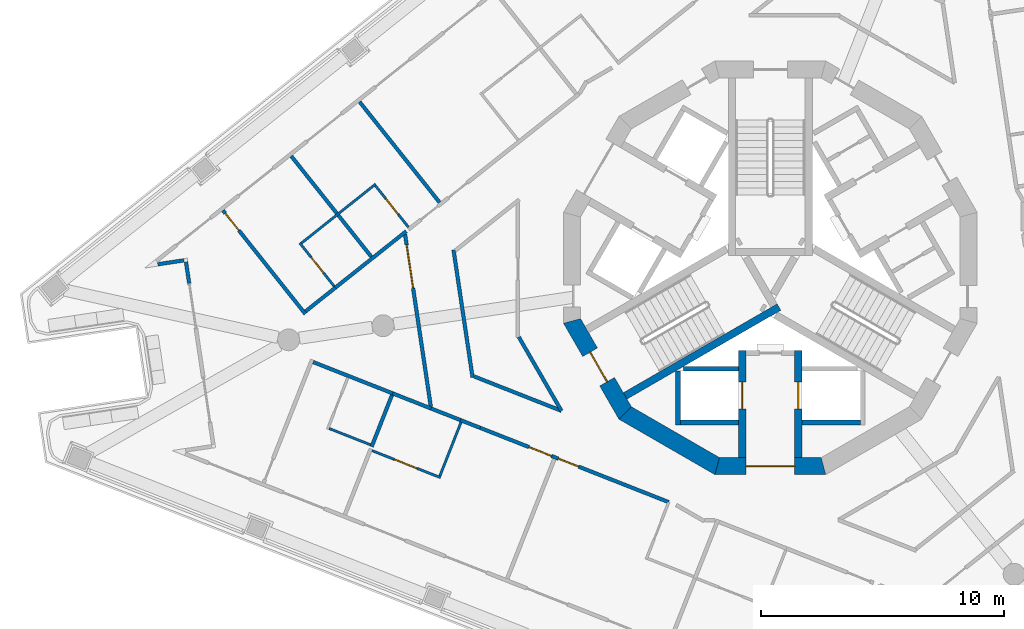
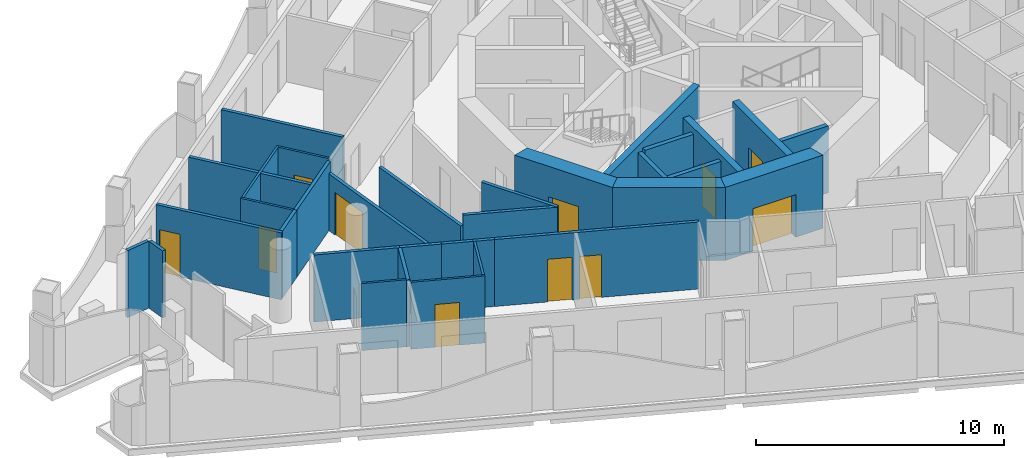
# One storey, part 3 of 16: 33 walls, 11 doors, 11 openings.
"""IFC4 building model written with IfcOpenShell, lengths in metres."""

from ifc_helpers import new_model, si_unit, direction, frame, frame_2d, origin, place, context, subcontext, project, spatial, polyline, rectangle, outline, extrude, material, layer, layer_set, type_object, element, fill, save


model = new_model("IFC4")

# Units and contexts
model_context = context("Model", 3, precision=1e-05, world=origin(), true_north=direction((0.0, 1.0)))
body_context = subcontext(model_context, "Body", "Model", "MODEL_VIEW")
ifc_project = project(units=[si_unit("LENGTHUNIT", "METRE"), si_unit("AREAUNIT", "SQUARE_METRE"), si_unit("VOLUMEUNIT", "CUBIC_METRE"), si_unit("PLANEANGLEUNIT", "RADIAN"), si_unit("MASSUNIT", "GRAM", prefix="KILO")], contexts=[model_context])

# Site, building, storey
site_placement = place(None, origin())
site = spatial("IfcSite", under=ifc_project, at=site_placement, CompositionType="ELEMENT")
building_placement = place(site_placement, origin())
building = spatial("IfcBuilding", under=site, at=building_placement, Name="Trine Commons Tower", CompositionType="ELEMENT")
storey_placement = place(building_placement, frame((0.0, 0.0, 219.60009765625)))
storey = spatial("IfcBuildingStorey", under=building, at=storey_placement, Name="L57", CompositionType="ELEMENT", Elevation=219.60009765625)

# Walls
ifc_material_1 = material(Name="Aluminium-framed insulated wall panel", Category="aluminium")
ifc_layer_1 = layer(ifc_material_1, 0.14990234375)
ifc_layer_set_1 = layer_set([ifc_layer_1], Name="Aluminium-framed insulated wall panel")
wall_type_1 = type_object("IfcWallType", Name="Glazed frame wall 150, EI 60", PredefinedType="SOLIDWALL", material=ifc_layer_set_1)
wall_1_placement = place(storey_placement, frame((56.115966796875, 61.86279296875, 0.0), z_axis=(0.0, 0.0, 1.0), x_axis=(-0.147946480694, 0.988995368468, 0.0)))
element("IfcWall", 1, at=wall_1_placement, inside=storey, type_object=wall_type_1, Name="Glazed frame wall P3.5", PredefinedType="SOLIDWALL", context=body_context, shape_type="SweptSolid", body=[
    extrude(outline(polyline([(0.889892578125, 0.074951171875), (0.0, 0.074951171875), (0.0, -0.074951171875), (0.889892578125, -0.074951171875), (0.889892578125, 0.074951171875)])), origin(), (0.0, 0.0, 1.0), 3.2998046875),
])
wall_2_placement = place(storey_placement, frame((56.0078125, 62.822265625, 0.0), z_axis=(0.0, 0.0, 1.0), x_axis=(-0.98902141065, -0.147772288596, 0.0)))
element("IfcWall", 2, at=wall_2_placement, inside=storey, type_object=wall_type_1, Name="Glazed frame wall R12", PredefinedType="SOLIDWALL", context=body_context, shape_type="SweptSolid", body=[
    extrude(outline(polyline([(0.110107421875, 0.074951171875), (0.110107421875, -0.074951171875), (1.19580078125, -0.074951171875), (1.19580078125, 0.074951171875), (0.110107421875, 0.074951171875)])), origin(), (0.0, 0.0, 1.0), 3.2998046875),
])

# Wall, opening, door
ifc_material_2 = material(Name="Concrete C60/75", Category="concrete")
ifc_layer_2 = layer(ifc_material_2, 0.300048828125)
ifc_layer_set_2 = layer_set([ifc_layer_2], Name="Concrete C60/75")
wall_type_2 = type_object("IfcWallType", Name="RC shear wall 300 mm, C60/75", PredefinedType="SHEAR", material=ifc_layer_set_2)
wall_3_placement = place(storey_placement, frame((78.85009765625, 59.10009765625, 0.0), z_axis=(0.0, 0.0, 1.0), x_axis=(0.0, -1.0, 0.0)))
wall_3 = element("IfcWall", 3, at=wall_3_placement, inside=storey, type_object=wall_type_2, Name="Core cross wall SWC-03 L57", PredefinedType="SHEAR", context=body_context, shape_type="SweptSolid", body=[
    extrude(rectangle(XDim=4.400146484375, YDim=0.300048828125, at=frame_2d((2.2001953125, 0.0))), origin(), (0.0, 0.0, 1.0), 3.599853515625),
])
opening_1_placement = place(wall_3_placement, frame((1.300048828125, 0.0, 0.0)))
opening_1 = element("IfcOpeningElement", 4, at=opening_1_placement, cuts=wall_3, Name="Opening LD10", PredefinedType="OPENING", context=body_context, shape_type="SweptSolid", body=[
    extrude(rectangle(XDim=1.10009765625, YDim=2.10009765625, at=frame_2d((0.550048828125, 1.050048828125))), frame((0.0, 0.159912109375, 0.0), z_axis=(0.0, -1.0, 0.0), x_axis=(1.0, 0.0, 0.0)), (0.0, 0.0, 1.0), 0.320068359375),
])
ifc_material_3 = material(Name="Stainless steel sliding door leaves", Category="steel")
door_type_1 = type_object("IfcDoorType", Name="Lift landing door, centre-opening sliding 1100 x 2100, FD90", OperationType="DOUBLE_DOOR_SLIDING", PredefinedType="DOOR", material=ifc_material_3)
door_1_placement = place(opening_1_placement, origin())
door_1 = element("IfcDoor", 5, at=door_1_placement, inside=storey, type_object=door_type_1, Name="Lift landing door FF2 L57", OperationType="DOUBLE_DOOR_SLIDING", OverallHeight=2.10009765625, OverallWidth=1.10009765625, PredefinedType="DOOR", context=body_context, shape_type="SweptSolid", body=[
    extrude(rectangle(XDim=1.10009765625, YDim=2.10009765625, at=frame_2d((0.550048828125, 1.050048828125))), frame((0.0, 0.02490234375, 0.0), z_axis=(0.0, -1.0, 0.0), x_axis=(1.0, 0.0, 0.0)), (0.0, 0.0, 1.0), 0.050048828125),
])
fill(opening_1, door_1)

wall_4_placement = place(storey_placement, frame((81.14990234375, 59.10009765625, 0.0), z_axis=(0.0, 0.0, 1.0), x_axis=(0.0, -1.0, 0.0)))
wall_4 = element("IfcWall", 6, at=wall_4_placement, inside=storey, type_object=wall_type_2, Name="Core cross wall SWC-04 L57", PredefinedType="SHEAR", context=body_context, shape_type="SweptSolid", body=[
    extrude(rectangle(XDim=4.400146484375, YDim=0.300048828125, at=frame_2d((2.2001953125, 0.0))), origin(), (0.0, 0.0, 1.0), 3.599853515625),
])
opening_2_placement = place(wall_4_placement, frame((1.300048828125, 0.0, 0.0)))
opening_2 = element("IfcOpeningElement", 7, at=opening_2_placement, cuts=wall_4, Name="Opening LD9", PredefinedType="OPENING", context=body_context, shape_type="SweptSolid", body=[
    extrude(rectangle(XDim=1.10009765625, YDim=2.10009765625, at=frame_2d((0.550048828125, 1.050048828125))), frame((0.0, 0.159912109375, 0.0), z_axis=(0.0, -1.0, 0.0), x_axis=(1.0, 0.0, 0.0)), (0.0, 0.0, 1.0), 0.320068359375),
])
door_2_placement = place(opening_2_placement, origin())
door_2 = element("IfcDoor", 8, at=door_2_placement, inside=storey, type_object=door_type_1, Name="Lift landing door FF1 L57", OperationType="DOUBLE_DOOR_SLIDING", OverallHeight=2.10009765625, OverallWidth=1.10009765625, PredefinedType="DOOR", context=body_context, shape_type="SweptSolid", body=[
    extrude(rectangle(XDim=1.10009765625, YDim=2.10009765625, at=frame_2d((0.550048828125, 1.050048828125))), frame((0.0, 0.02490234375, 0.0), z_axis=(0.0, -1.0, 0.0), x_axis=(1.0, 0.0, 0.0)), (0.0, 0.0, 1.0), 0.050048828125),
])
fill(opening_2, door_2)

# Wall
wall_5_placement = place(storey_placement, frame((80.35400390625, 60.885986328125, 0.0), z_axis=(0.0, 0.0, 1.0), x_axis=(-0.866032430508, -0.49998782916, 0.0)))
element("IfcWall", 9, at=wall_5_placement, inside=storey, type_object=wall_type_2, Name="Core cross wall SWC-14 L57", PredefinedType="SHEAR", context=body_context, shape_type="SweptSolid", body=[
    extrude(rectangle(XDim=7.300048828125, YDim=0.300048828125, at=frame_2d((3.64990234375, 0.0))), origin(), (0.0, 0.0, 1.0), 3.599853515625),
])

# Wall, opening, door
ifc_layer_3 = layer(ifc_material_2, 0.699951171875)
ifc_layer_set_3 = layer_set([ifc_layer_3], Name="Concrete C60/75")
wall_type_3 = type_object("IfcWallType", Name="RC shear wall 700 mm, C60/75", PredefinedType="SHEAR", material=ifc_layer_set_3)
wall_6_placement = place(storey_placement, frame((71.802978515625, 60.3974609375, 0.0), z_axis=(0.0, 0.0, 1.0), x_axis=(0.499983800959, -0.866034756103, 0.0)))
wall_6 = element("IfcWall", 10, at=wall_6_placement, inside=storey, type_object=wall_type_3, Name="Core wall CWF-08 L57", PredefinedType="SHEAR", context=body_context, shape_type="SweptSolid", body=[
    extrude(outline(polyline([(0.0, -0.35009765625), (4.55517578125, -0.35009765625), (4.36767578125, 0.35009765625), (0.1875, 0.35009765625), (0.0, -0.35009765625)])), origin(), (0.0, 0.0, 1.0), 3.599853515625),
])
opening_3_placement = place(wall_6_placement, frame((1.577392578125, 0.0, 0.0)))
opening_3 = element("IfcOpeningElement", 11, at=opening_3_placement, cuts=wall_6, Name="Opening K15.02", PredefinedType="OPENING", context=body_context, shape_type="SweptSolid", body=[
    extrude(rectangle(XDim=1.39990234375, YDim=2.10009765625, at=frame_2d((0.699951171875, 1.050048828125))), frame((0.0, 0.35986328125, 0.0), z_axis=(0.0, -1.0, 0.0), x_axis=(1.0, 0.0, 0.0)), (0.0, 0.0, 1.0), 0.719970703125),
])
ifc_material_4 = material(Name="Steel door leaves, fire-rated", Category="steel")
door_type_2 = type_object("IfcDoorType", Name="Stair door, double leaf 1400 x 2100, FD90", OperationType="DOUBLE_DOOR_SINGLE_SWING", PredefinedType="DOOR", material=ifc_material_4)
door_3_placement = place(opening_3_placement, origin())
door_3 = element("IfcDoor", 12, at=door_3_placement, inside=storey, type_object=door_type_2, Name="Stair door to Exit stair ST2C L57", OperationType="DOUBLE_DOOR_SINGLE_SWING", OverallHeight=2.10009765625, OverallWidth=1.39990234375, PredefinedType="DOOR", context=body_context, shape_type="SweptSolid", body=[
    extrude(rectangle(XDim=1.39990234375, YDim=2.10009765625, at=frame_2d((0.699951171875, 1.050048828125))), frame((0.0, 0.02490234375, 0.0), z_axis=(0.0, -1.0, 0.0), x_axis=(1.0, 0.0, 0.0)), (0.0, 0.0, 1.0), 0.050048828125),
])
fill(opening_3, door_3)

# Wall
wall_7_placement = place(storey_placement, frame((73.952392578125, 56.58056640625, 0.0), z_axis=(0.0, 0.0, 1.0), x_axis=(0.866034756103, -0.499983800959, 0.0)))
element("IfcWall", 13, at=wall_7_placement, inside=storey, type_object=wall_type_3, Name="Core wall CWF-09 L57", PredefinedType="SHEAR", context=body_context, shape_type="SweptSolid", body=[
    extrude(outline(polyline([(0.0, -0.35009765625), (4.55517578125, -0.35009765625), (4.36767578125, 0.35009765625), (0.1875, 0.35009765625), (0.0, -0.35009765625)])), origin(), (0.0, 0.0, 1.0), 3.599853515625),
])

# Wall, opening, door
wall_8_placement = place(storey_placement, frame((77.722412109375, 54.349853515625, 0.0), z_axis=(0.0, 0.0, 1.0), x_axis=(1.0, 0.0, 0.0)))
wall_8 = element("IfcWall", 14, at=wall_8_placement, inside=storey, type_object=wall_type_3, Name="Core wall CWF-10 L57", PredefinedType="SHEAR", context=body_context, shape_type="SweptSolid", body=[
    extrude(outline(polyline([(0.0, -0.35009765625), (4.55517578125, -0.35009765625), (4.36767578125, 0.35009765625), (0.1875, 0.35009765625), (0.0, -0.35009765625)])), origin(), (0.0, 0.0, 1.0), 3.599853515625),
])
opening_4_placement = place(wall_8_placement, frame((1.277587890625, 0.0, 0.0)))
opening_4 = element("IfcOpeningElement", 15, at=opening_4_placement, cuts=wall_8, Name="Opening K15.08", PredefinedType="OPENING", context=body_context, shape_type="SweptSolid", body=[
    extrude(rectangle(XDim=2.0, YDim=2.10009765625, at=frame_2d((1.0, 1.050048828125))), frame((0.0, 0.35986328125, 0.0), z_axis=(0.0, -1.0, 0.0), x_axis=(1.0, 0.0, 0.0)), (0.0, 0.0, 1.0), 0.719970703125),
])
door_type_3 = type_object("IfcDoorType", Name="Lobby door, double leaf 2000 x 2100, FD60", OperationType="DOUBLE_DOOR_SINGLE_SWING", PredefinedType="DOOR", material=ifc_material_4)
door_4_placement = place(opening_4_placement, origin())
door_4 = element("IfcDoor", 16, at=door_4_placement, inside=storey, type_object=door_type_3, Name="Lobby door, Service and firefighting lobby L57", OperationType="DOUBLE_DOOR_SINGLE_SWING", OverallHeight=2.10009765625, OverallWidth=2.0, PredefinedType="DOOR", context=body_context, shape_type="SweptSolid", body=[
    extrude(rectangle(XDim=2.0, YDim=2.10009765625, at=frame_2d((1.0, 1.050048828125))), frame((0.0, 0.02490234375, 0.0), z_axis=(0.0, -1.0, 0.0), x_axis=(1.0, 0.0, 0.0)), (0.0, 0.0, 1.0), 0.050048828125),
])
fill(opening_4, door_4)

# Walls
ifc_material_5 = material(Name="Fire-rated gypsum shaft wall system")
ifc_layer_4 = layer(ifc_material_5, 0.199951171875)
ifc_layer_set_4 = layer_set([ifc_layer_4], Name="Fire-rated gypsum shaft wall system")
wall_type_4 = type_object("IfcWallType", Name="Shaft wall 200 mm, EI 120", PredefinedType="PARTITIONING", material=ifc_layer_set_4)
wall_9_placement = place(storey_placement, frame((76.199951171875, 58.257080078125, 0.0), z_axis=(0.0, 0.0, 1.0), x_axis=(0.0, -1.0, 0.0)))
element("IfcWall", 17, at=wall_9_placement, inside=storey, type_object=wall_type_4, Name="Shaft wall L57", PredefinedType="PARTITIONING", context=body_context, shape_type="SweptSolid", body=[
    extrude(rectangle(XDim=2.20703125, YDim=0.199951171875, at=frame_2d((1.103515625, 0.0))), origin(), (0.0, 0.0, 1.0), 3.2998046875),
])
wall_10_placement = place(storey_placement, frame((78.699951171875, 56.14990234375, 0.0), z_axis=(0.0, 0.0, 1.0), x_axis=(-1.0, 0.0, 0.0)))
element("IfcWall", 18, at=wall_10_placement, inside=storey, type_object=wall_type_4, Name="Shaft wall L57", PredefinedType="PARTITIONING", context=body_context, shape_type="SweptSolid", body=[
    extrude(rectangle(XDim=2.39990234375, YDim=0.199951171875, at=frame_2d((1.199951171875, 0.0))), origin(), (0.0, 0.0, 1.0), 3.2998046875),
])
wall_11_placement = place(storey_placement, frame((78.699951171875, 58.35009765625, 0.0), z_axis=(0.0, 0.0, 1.0), x_axis=(-1.0, 0.0, 0.0)))
element("IfcWall", 19, at=wall_11_placement, inside=storey, type_object=wall_type_4, Name="Shaft wall L57", PredefinedType="PARTITIONING", context=body_context, shape_type="SweptSolid", body=[
    extrude(rectangle(XDim=2.264892578125, YDim=0.199951171875, at=frame_2d((1.13232421875, 0.0))), origin(), (0.0, 0.0, 1.0), 3.2998046875),
])
wall_12_placement = place(storey_placement, frame((81.300048828125, 56.14990234375, 0.0), z_axis=(0.0, 0.0, 1.0), x_axis=(1.0, 0.0, 0.0)))
element("IfcWall", 20, at=wall_12_placement, inside=storey, type_object=wall_type_4, Name="Shaft wall L57", PredefinedType="PARTITIONING", context=body_context, shape_type="SweptSolid", body=[
    extrude(rectangle(XDim=2.39990234375, YDim=0.199951171875, at=frame_2d((1.199951171875, 0.0))), origin(), (0.0, 0.0, 1.0), 3.2998046875),
])

# Wall, opening, door
ifc_material_6 = material(Name="Gypsum plasterboard on steel stud", Category="steel")
ifc_layer_5 = layer(ifc_material_6, 0.14990234375)
ifc_layer_set_5 = layer_set([ifc_layer_5], Name="Gypsum plasterboard on steel stud")
wall_type_5 = type_object("IfcWallType", Name="Unit and corridor wall 150 mm, EI 60", PredefinedType="PARTITIONING", material=ifc_layer_set_5)
wall_13_placement = place(storey_placement, frame((57.50390625, 64.858642578125, 0.0), z_axis=(0.0, 0.0, 1.0), x_axis=(0.622567332104, -0.782566238089, 0.0)))
wall_13 = element("IfcWall", 21, at=wall_13_placement, inside=storey, type_object=wall_type_5, Name="Partition 001", PredefinedType="PARTITIONING", context=body_context, shape_type="SweptSolid", body=[
    extrude(rectangle(XDim=5.435302734375, YDim=0.14990234375, at=frame_2d((2.7177734375, 0.0))), origin(), (0.0, 0.0, 1.0), 3.2998046875),
])
opening_5_placement = place(wall_13_placement, frame((0.14990234375, 0.0, 0.0)))
opening_5 = element("IfcOpeningElement", 22, at=opening_5_placement, cuts=wall_13, Name="Opening D-6C05", PredefinedType="OPENING", context=body_context, shape_type="SweptSolid", body=[
    extrude(rectangle(XDim=0.89990234375, YDim=2.10009765625, at=frame_2d((0.449951171875, 1.050048828125))), frame((0.0, 0.0849609375, 0.0), z_axis=(0.0, -1.0, 0.0), x_axis=(1.0, 0.0, 0.0)), (0.0, 0.0, 1.0), 0.169921875),
])
ifc_material_7 = material(Name="Timber fire door set", Category="wood")
door_type_4 = type_object("IfcDoorType", Name="Bedroom door 900 x 2100, FD30S", OperationType="NOTDEFINED", PredefinedType="DOOR", material=ifc_material_7)
door_5_placement = place(opening_5_placement, origin())
door_5 = element("IfcDoor", 23, at=door_5_placement, inside=storey, type_object=door_type_4, Name="Door D-6C05", OperationType="SINGLE_SWING_LEFT", OverallHeight=2.10009765625, OverallWidth=0.89990234375, PredefinedType="DOOR", context=body_context, shape_type="SweptSolid", body=[
    extrude(rectangle(XDim=0.89990234375, YDim=2.10009765625, at=frame_2d((0.449951171875, 1.050048828125))), frame((0.0, 0.02490234375, 0.0), z_axis=(0.0, -1.0, 0.0), x_axis=(1.0, 0.0, 0.0)), (0.0, 0.0, 1.0), 0.050048828125),
])
fill(opening_5, door_5)

# Walls
wall_14_placement = place(storey_placement, frame((60.309814453125, 67.091796875, 0.0), z_axis=(0.0, 0.0, 1.0), x_axis=(0.622585933561, -0.782551439416, 0.0)))
element("IfcWall", 24, at=wall_14_placement, inside=storey, type_object=wall_type_5, Name="Partition 003", PredefinedType="PARTITIONING", context=body_context, shape_type="SweptSolid", body=[
    extrude(rectangle(XDim=5.28515625, YDim=0.14990234375, at=frame_2d((2.642578125, 0.0))), origin(), (0.0, 0.0, 1.0), 3.2998046875),
])
wall_15_placement = place(storey_placement, frame((60.899658203125, 60.710693359375, 0.0), z_axis=(0.0, 0.0, 1.0), x_axis=(0.782464556825, 0.622695123886, 0.0)))
element("IfcWall", 25, at=wall_15_placement, inside=storey, type_object=wall_type_5, Name="Partition 006", PredefinedType="PARTITIONING", context=body_context, shape_type="SweptSolid", body=[
    extrude(rectangle(XDim=1.564697265625, YDim=0.14990234375, at=frame_2d((0.7822265625, 0.0))), origin(), (0.0, 0.0, 1.0), 3.2998046875),
])
wall_16_placement = place(storey_placement, frame((61.210693359375, 58.62646484375, 0.0), z_axis=(0.0, 0.0, 1.0), x_axis=(0.930481659578, -0.36633847899, 0.0)))
element("IfcWall", 26, at=wall_16_placement, inside=storey, type_object=wall_type_5, Name="Partition 007", PredefinedType="PARTITIONING", context=body_context, shape_type="SweptSolid", body=[
    extrude(rectangle(XDim=3.511474609375, YDim=0.14990234375, at=frame_2d((1.755859375, 0.0))), origin(), (0.0, 0.0, 1.0), 3.2998046875),
])
wall_17_placement = place(storey_placement, frame((62.078857421875, 61.64990234375, 0.0), z_axis=(0.0, 0.0, 1.0), x_axis=(0.782650439996, 0.622461475735, 0.0)))
element("IfcWall", 27, at=wall_17_placement, inside=storey, type_object=wall_type_5, Name="Partition 010", PredefinedType="PARTITIONING", context=body_context, shape_type="SweptSolid", body=[
    extrude(rectangle(XDim=3.776611328125, YDim=0.14990234375, at=frame_2d((1.88818359375, 0.0))), origin(), (0.0, 0.0, 1.0), 3.2998046875),
])
wall_18_placement = place(storey_placement, frame((63.116943359375, 69.32373046875, 0.0), z_axis=(0.0, 0.0, 1.0), x_axis=(0.622444463897, -0.782663969634, 0.0)))
element("IfcWall", 28, at=wall_18_placement, inside=storey, type_object=wall_type_5, Name="Partition 012", PredefinedType="PARTITIONING", context=body_context, shape_type="SweptSolid", body=[
    extrude(rectangle(XDim=5.284423828125, YDim=0.14990234375, at=frame_2d((2.64208984375, 0.0))), origin(), (0.0, 0.0, 1.0), 3.2998046875),
])
wall_19_placement = place(storey_placement, frame((63.61474609375, 55.1494140625, 0.0), z_axis=(0.0, 0.0, 1.0), x_axis=(0.366603181912, 0.930377400312, 0.0)))
element("IfcWall", 29, at=wall_19_placement, inside=storey, type_object=wall_type_5, Name="Partition 014", PredefinedType="PARTITIONING", context=body_context, shape_type="SweptSolid", body=[
    extrude(rectangle(XDim=2.279541015625, YDim=0.14990234375, at=frame_2d((1.1396484375, 0.0))), origin(), (0.0, 0.0, 1.0), 3.2998046875),
])
wall_20_placement = place(storey_placement, frame((64.47802734375, 57.340087890625, 0.0), z_axis=(0.0, 0.0, 1.0), x_axis=(0.930289512217, -0.366826148822, 0.0)))
element("IfcWall", 30, at=wall_20_placement, inside=storey, type_object=wall_type_5, Name="Partition 016", PredefinedType="PARTITIONING", context=body_context, shape_type="SweptSolid", body=[
    extrude(rectangle(XDim=1.698486328125, YDim=0.14990234375, at=frame_2d((0.84912109375, 0.0))), origin(), (0.0, 0.0, 1.0), 3.2998046875),
])

# Wall, opening, door
wall_21_placement = place(storey_placement, frame((64.987060546875, 63.8798828125, 0.0), z_axis=(0.0, 0.0, 1.0), x_axis=(0.147865724858, -0.98900744558, 0.0)))
wall_21 = element("IfcWall", 31, at=wall_21_placement, inside=storey, type_object=wall_type_5, Name="Partition 017", PredefinedType="PARTITIONING", context=body_context, shape_type="SweptSolid", body=[
    extrude(rectangle(XDim=7.16748046875, YDim=0.14990234375, at=frame_2d((3.583740234375, 0.0))), origin(), (0.0, 0.0, 1.0), 2.7998046875),
])
opening_6_placement = place(wall_21_placement, frame((0.44677734375, 0.0, 0.0)))
opening_6 = element("IfcOpeningElement", 32, at=opening_6_placement, cuts=wall_21, Name="Opening D-6C03", PredefinedType="OPENING", context=body_context, shape_type="SweptSolid", body=[
    extrude(rectangle(XDim=1.800048828125, YDim=2.10009765625, at=frame_2d((0.89990234375, 1.050048828125))), frame((0.0, 0.0849609375, 0.0), z_axis=(0.0, -1.0, 0.0), x_axis=(1.0, 0.0, 0.0)), (0.0, 0.0, 1.0), 0.169921875),
])
door_type_5 = type_object("IfcDoorType", Name="Cluster entrance door 1800 x 2100, double leaf, FD30S", OperationType="DOUBLE_DOOR_DOUBLE_SWING", PredefinedType="DOOR", material=ifc_material_7)
door_6_placement = place(opening_6_placement, frame((1.800048828125, 0.0, 0.0), z_axis=(0.0, 0.0, 1.0), x_axis=(-1.0, 0.0, 0.0)))
door_6 = element("IfcDoor", 33, at=door_6_placement, inside=storey, type_object=door_type_5, Name="Door D-6C03", OperationType="DOUBLE_DOOR_DOUBLE_SWING", OverallHeight=2.10009765625, OverallWidth=1.800048828125, PredefinedType="DOOR", context=body_context, shape_type="SweptSolid", body=[
    extrude(rectangle(XDim=1.800048828125, YDim=2.10009765625, at=frame_2d((0.89990234375, 1.050048828125))), frame((0.0, 0.02490234375, 0.0), z_axis=(0.0, -1.0, 0.0), x_axis=(1.0, 0.0, 0.0)), (0.0, 0.0, 1.0), 0.050048828125),
])
fill(opening_6, door_6)

# Walls
wall_22_placement = place(storey_placement, frame((66.05810546875, 56.717041015625, 0.0), z_axis=(0.0, 0.0, 1.0), x_axis=(0.930574001854, -0.36610384739, 0.0)))
element("IfcWall", 34, at=wall_22_placement, inside=storey, type_object=wall_type_5, Name="Partition 020", PredefinedType="PARTITIONING", context=body_context, shape_type="SweptSolid", body=[
    extrude(rectangle(XDim=1.35498046875, YDim=0.14990234375, at=frame_2d((0.677490234375, 0.0))), origin(), (0.0, 0.0, 1.0), 3.2998046875),
])
wall_23_placement = place(storey_placement, frame((66.97998046875, 63.234130859375, 0.0), z_axis=(0.0, 0.0, 1.0), x_axis=(0.14773017043, -0.989027702719, 0.0)))
element("IfcWall", 35, at=wall_23_placement, inside=storey, type_object=wall_type_5, Name="Partition 022", PredefinedType="PARTITIONING", context=body_context, shape_type="SweptSolid", body=[
    extrude(rectangle(XDim=5.301513671875, YDim=0.14990234375, at=frame_2d((2.65087890625, 0.0))), origin(), (0.0, 0.0, 1.0), 2.7998046875),
])
wall_24_placement = place(storey_placement, frame((67.264404296875, 56.2412109375, 0.0), z_axis=(0.0, 0.0, 1.0), x_axis=(0.9308062045, -0.365513077281, 0.0)))
element("IfcWall", 36, at=wall_24_placement, inside=storey, type_object=wall_type_5, Name="Partition 024", PredefinedType="PARTITIONING", context=body_context, shape_type="SweptSolid", body=[
    extrude(rectangle(XDim=0.86767578125, YDim=0.14990234375, at=frame_2d((0.433837890625, 0.0))), origin(), (0.0, 0.0, 1.0), 3.2998046875),
])
wall_25_placement = place(storey_placement, frame((67.82177734375, 58.03759765625, 0.0), z_axis=(0.0, 0.0, 1.0), x_axis=(0.930426693307, -0.366478059892, 0.0)))
element("IfcWall", 37, at=wall_25_placement, inside=storey, type_object=wall_type_5, Name="Partition 025", PredefinedType="PARTITIONING", context=body_context, shape_type="SweptSolid", body=[
    extrude(rectangle(XDim=3.85986328125, YDim=0.14990234375, at=frame_2d((1.929931640625, 0.0))), origin(), (0.0, 0.0, 1.0), 3.2998046875),
])

# Wall, openings, doors
wall_26_placement = place(storey_placement, frame((68.072021484375, 55.924072265625, 0.0), z_axis=(0.0, 0.0, 1.0), x_axis=(0.930399311856, -0.366547569216, 0.0)))
wall_26 = element("IfcWall", 38, at=wall_26_placement, inside=storey, type_object=wall_type_5, Name="Partition 026", PredefinedType="PARTITIONING", context=body_context, shape_type="SweptSolid", body=[
    extrude(rectangle(XDim=8.3349609375, YDim=0.14990234375, at=frame_2d((4.16748046875, 0.0))), origin(), (0.0, 0.0, 1.0), 3.2998046875),
])
opening_7_placement = place(wall_26_placement, frame((3.45947265625, 0.0, 0.0)))
opening_7 = element("IfcOpeningElement", 39, at=opening_7_placement, cuts=wall_26, Name="Opening D-6C23", PredefinedType="OPENING", context=body_context, shape_type="SweptSolid", body=[
    extrude(rectangle(XDim=0.89990234375, YDim=2.10009765625, at=frame_2d((0.449951171875, 1.050048828125))), frame((0.0, 0.0849609375, 0.0), z_axis=(0.0, -1.0, 0.0), x_axis=(1.0, 0.0, 0.0)), (0.0, 0.0, 1.0), 0.169921875),
])
opening_8_placement = place(wall_26_placement, frame((2.159423828125, 0.0, 0.0)))
opening_8 = element("IfcOpeningElement", 40, at=opening_8_placement, cuts=wall_26, Name="Opening D-6C24", PredefinedType="OPENING", context=body_context, shape_type="SweptSolid", body=[
    extrude(rectangle(XDim=1.0, YDim=2.10009765625, at=frame_2d((0.5, 1.050048828125))), frame((0.0, 0.0849609375, 0.0), z_axis=(0.0, -1.0, 0.0), x_axis=(1.0, 0.0, 0.0)), (0.0, 0.0, 1.0), 0.169921875),
])
door_type_6 = type_object("IfcDoorType", Name="Bedroom door 1000 x 2100, FD30S", OperationType="NOTDEFINED", PredefinedType="DOOR", material=ifc_material_7)
door_7_placement = place(opening_8_placement, frame((1.0, 0.0, 0.0), z_axis=(0.0, 0.0, 1.0), x_axis=(-1.0, 0.0, 0.0)))
door_7 = element("IfcDoor", 41, at=door_7_placement, inside=storey, type_object=door_type_6, Name="Door D-6C24", OperationType="SINGLE_SWING_RIGHT", OverallHeight=2.10009765625, OverallWidth=1.0, PredefinedType="DOOR", context=body_context, shape_type="SweptSolid", body=[
    extrude(rectangle(XDim=1.0, YDim=2.10009765625, at=frame_2d((0.5, 1.050048828125))), frame((0.0, 0.02490234375, 0.0), z_axis=(0.0, -1.0, 0.0), x_axis=(1.0, 0.0, 0.0)), (0.0, 0.0, 1.0), 0.050048828125),
])
fill(opening_8, door_7)
door_8_placement = place(opening_7_placement, frame((0.89990234375, 0.0, 0.0), z_axis=(0.0, 0.0, 1.0), x_axis=(-1.0, 0.0, 0.0)))
door_8 = element("IfcDoor", 42, at=door_8_placement, inside=storey, type_object=door_type_4, Name="Door D-6C23", OperationType="SINGLE_SWING_RIGHT", OverallHeight=2.10009765625, OverallWidth=0.89990234375, PredefinedType="DOOR", context=body_context, shape_type="SweptSolid", body=[
    extrude(rectangle(XDim=0.89990234375, YDim=2.10009765625, at=frame_2d((0.449951171875, 1.050048828125))), frame((0.0, 0.02490234375, 0.0), z_axis=(0.0, -1.0, 0.0), x_axis=(1.0, 0.0, 0.0)), (0.0, 0.0, 1.0), 0.050048828125),
])
fill(opening_7, door_8)

# Wall
wall_27_placement = place(storey_placement, frame((69.66259765625, 59.655029296875, 0.0), z_axis=(0.0, 0.0, 1.0), x_axis=(0.50005009493, -0.865996479531, 0.0)))
element("IfcWall", 43, at=wall_27_placement, inside=storey, type_object=wall_type_5, Name="Partition 032", PredefinedType="PARTITIONING", context=body_context, shape_type="SweptSolid", body=[
    extrude(rectangle(XDim=3.504638671875, YDim=0.14990234375, at=frame_2d((1.75244140625, 0.0))), origin(), (0.0, 0.0, 1.0), 3.2998046875),
])

# Wall, opening, door
ifc_layer_6 = layer(ifc_material_6, 0.10009765625)
ifc_layer_set_6 = layer_set([ifc_layer_6], Name="Gypsum plasterboard on steel stud")
wall_type_6 = type_object("IfcWallType", Name="Unit partition 100 mm, no rating", PredefinedType="PARTITIONING", material=ifc_layer_set_6)
wall_28_placement = place(storey_placement, frame((60.657958984375, 63.522216796875, 0.0), z_axis=(0.0, 0.0, 1.0), x_axis=(0.622507134747, -0.782614124067, 0.0)))
wall_28 = element("IfcWall", 44, at=wall_28_placement, inside=storey, type_object=wall_type_6, Name="Partition 004", PredefinedType="PARTITIONING", context=body_context, shape_type="SweptSolid", body=[
    extrude(rectangle(XDim=2.275146484375, YDim=0.10009765625, at=frame_2d((1.1376953125, 0.0))), origin(), (0.0, 0.0, 1.0), 3.2998046875),
])
opening_9_placement = place(wall_28_placement, frame((0.7626953125, 0.0, 0.0)))
opening_9 = element("IfcOpeningElement", 45, at=opening_9_placement, cuts=wall_28, Name="Opening D-6C29", PredefinedType="OPENING", context=body_context, shape_type="SweptSolid", body=[
    extrude(rectangle(XDim=0.800048828125, YDim=2.10009765625, at=frame_2d((0.39990234375, 1.050048828125))), frame((0.0, 0.06005859375, 0.0), z_axis=(0.0, -1.0, 0.0), x_axis=(1.0, 0.0, 0.0)), (0.0, 0.0, 1.0), 0.1201171875),
])
ifc_material_8 = material(Name="Painted timber", Category="wood")
door_type_7 = type_object("IfcDoorType", Name="Internal door 800 x 2100, NOT RATED", OperationType="NOTDEFINED", PredefinedType="DOOR", material=ifc_material_8)
door_9_placement = place(opening_9_placement, frame((0.800048828125, 0.0, 0.0), z_axis=(0.0, 0.0, 1.0), x_axis=(-1.0, 0.0, 0.0)))
door_9 = element("IfcDoor", 46, at=door_9_placement, inside=storey, type_object=door_type_7, Name="Door D-6C29", OperationType="SINGLE_SWING_LEFT", OverallHeight=2.10009765625, OverallWidth=0.800048828125, PredefinedType="DOOR", context=body_context, shape_type="SweptSolid", body=[
    extrude(rectangle(XDim=0.800048828125, YDim=2.10009765625, at=frame_2d((0.39990234375, 1.050048828125))), frame((0.0, 0.02490234375, 0.0), z_axis=(0.0, -1.0, 0.0), x_axis=(1.0, 0.0, 0.0)), (0.0, 0.0, 1.0), 0.050048828125),
])
fill(opening_9, door_9)

# Walls
wall_29_placement = place(storey_placement, frame((60.72802734375, 63.51416015625, 0.0), z_axis=(0.0, 0.0, 1.0), x_axis=(0.782569861825, 0.622562777046, 0.0)))
element("IfcWall", 47, at=wall_29_placement, inside=storey, type_object=wall_type_6, Name="Partition 005", PredefinedType="PARTITIONING", context=body_context, shape_type="SweptSolid", body=[
    extrude(rectangle(XDim=3.89990234375, YDim=0.10009765625, at=frame_2d((1.949951171875, 0.0))), origin(), (0.0, 0.0, 1.0), 3.2998046875),
])
wall_30_placement = place(storey_placement, frame((61.866455078125, 55.895751953125, 0.0), z_axis=(0.0, 0.0, 1.0), x_axis=(0.930592094338, -0.366057856022, 0.0)))
element("IfcWall", 48, at=wall_30_placement, inside=storey, type_object=wall_type_6, Name="Partition 009", PredefinedType="PARTITIONING", context=body_context, shape_type="SweptSolid", body=[
    extrude(rectangle(XDim=1.825439453125, YDim=0.10009765625, at=frame_2d((0.91259765625, 0.0))), origin(), (0.0, 0.0, 1.0), 3.2998046875),
])

# Wall, opening, door
wall_31_placement = place(storey_placement, frame((63.630859375, 54.985595703125, 0.0), z_axis=(0.0, 0.0, 1.0), x_axis=(0.930510944634, -0.36626408767, 0.0)))
wall_31 = element("IfcWall", 49, at=wall_31_placement, inside=storey, type_object=wall_type_6, Name="Partition 013", PredefinedType="PARTITIONING", context=body_context, shape_type="SweptSolid", body=[
    extrude(rectangle(XDim=3.02490234375, YDim=0.10009765625, at=frame_2d((1.512451171875, 0.0))), origin(), (0.0, 0.0, 1.0), 3.2998046875),
])
opening_10_placement = place(wall_31_placement, frame((0.9873046875, 0.0, 0.0)))
opening_10 = element("IfcOpeningElement", 50, at=opening_10_placement, cuts=wall_31, Name="Opening D-6C47", PredefinedType="OPENING", context=body_context, shape_type="SweptSolid", body=[
    extrude(rectangle(XDim=1.0, YDim=2.10009765625, at=frame_2d((0.5, 1.050048828125))), frame((0.0, 0.06005859375, 0.0), z_axis=(0.0, -1.0, 0.0), x_axis=(1.0, 0.0, 0.0)), (0.0, 0.0, 1.0), 0.1201171875),
])
door_type_8 = type_object("IfcDoorType", Name="Internal door 1000 x 2100, NOT RATED", OperationType="NOTDEFINED", PredefinedType="DOOR", material=ifc_material_8)
door_10_placement = place(opening_10_placement, frame((1.0, 0.0, 0.0), z_axis=(0.0, 0.0, 1.0), x_axis=(-1.0, 0.0, 0.0)))
door_10 = element("IfcDoor", 51, at=door_10_placement, inside=storey, type_object=door_type_8, Name="Door D-6C47", OperationType="SINGLE_SWING_RIGHT", OverallHeight=2.10009765625, OverallWidth=1.0, PredefinedType="DOOR", context=body_context, shape_type="SweptSolid", body=[
    extrude(rectangle(XDim=1.0, YDim=2.10009765625, at=frame_2d((0.5, 1.050048828125))), frame((0.0, 0.02490234375, 0.0), z_axis=(0.0, -1.0, 0.0), x_axis=(1.0, 0.0, 0.0)), (0.0, 0.0, 1.0), 0.050048828125),
])
fill(opening_10, door_10)

wall_32_placement = place(storey_placement, frame((63.772216796875, 65.871826171875, 0.0), z_axis=(0.0, 0.0, 1.0), x_axis=(0.622529815635, -0.782596082692, 0.0)))
wall_32 = element("IfcWall", 52, at=wall_32_placement, inside=storey, type_object=wall_type_6, Name="Partition 015", PredefinedType="PARTITIONING", context=body_context, shape_type="SweptSolid", body=[
    extrude(rectangle(XDim=2.175048828125, YDim=0.10009765625, at=frame_2d((1.08740234375, 0.0))), origin(), (0.0, 0.0, 1.0), 3.2998046875),
])
opening_11_placement = place(wall_32_placement, frame((0.6875, 0.0, 0.0)))
opening_11 = element("IfcOpeningElement", 53, at=opening_11_placement, cuts=wall_32, Name="Opening D-6C30", PredefinedType="OPENING", context=body_context, shape_type="SweptSolid", body=[
    extrude(rectangle(XDim=0.800048828125, YDim=2.10009765625, at=frame_2d((0.39990234375, 1.050048828125))), frame((0.0, 0.06005859375, 0.0), z_axis=(0.0, -1.0, 0.0), x_axis=(1.0, 0.0, 0.0)), (0.0, 0.0, 1.0), 0.1201171875),
])
door_11_placement = place(opening_11_placement, origin())
door_11 = element("IfcDoor", 54, at=door_11_placement, inside=storey, type_object=door_type_7, Name="Door D-6C30", OperationType="SINGLE_SWING_LEFT", OverallHeight=2.10009765625, OverallWidth=0.800048828125, PredefinedType="DOOR", context=body_context, shape_type="SweptSolid", body=[
    extrude(rectangle(XDim=0.800048828125, YDim=2.10009765625, at=frame_2d((0.39990234375, 1.050048828125))), frame((0.0, 0.02490234375, 0.0), z_axis=(0.0, -1.0, 0.0), x_axis=(1.0, 0.0, 0.0)), (0.0, 0.0, 1.0), 0.050048828125),
])
fill(opening_11, door_11)

# Wall
wall_33_placement = place(storey_placement, frame((66.417236328125, 53.9423828125, 0.0), z_axis=(0.0, 0.0, 1.0), x_axis=(0.366475978777, 0.930427513017, 0.0)))
element("IfcWall", 55, at=wall_33_placement, inside=storey, type_object=wall_type_6, Name="Partition 021", PredefinedType="PARTITIONING", context=body_context, shape_type="SweptSolid", body=[
    extrude(rectangle(XDim=2.375, YDim=0.10009765625, at=frame_2d((1.1875, 0.0))), origin(), (0.0, 0.0, 1.0), 3.2998046875),
])

save(model, "model.ifc")
